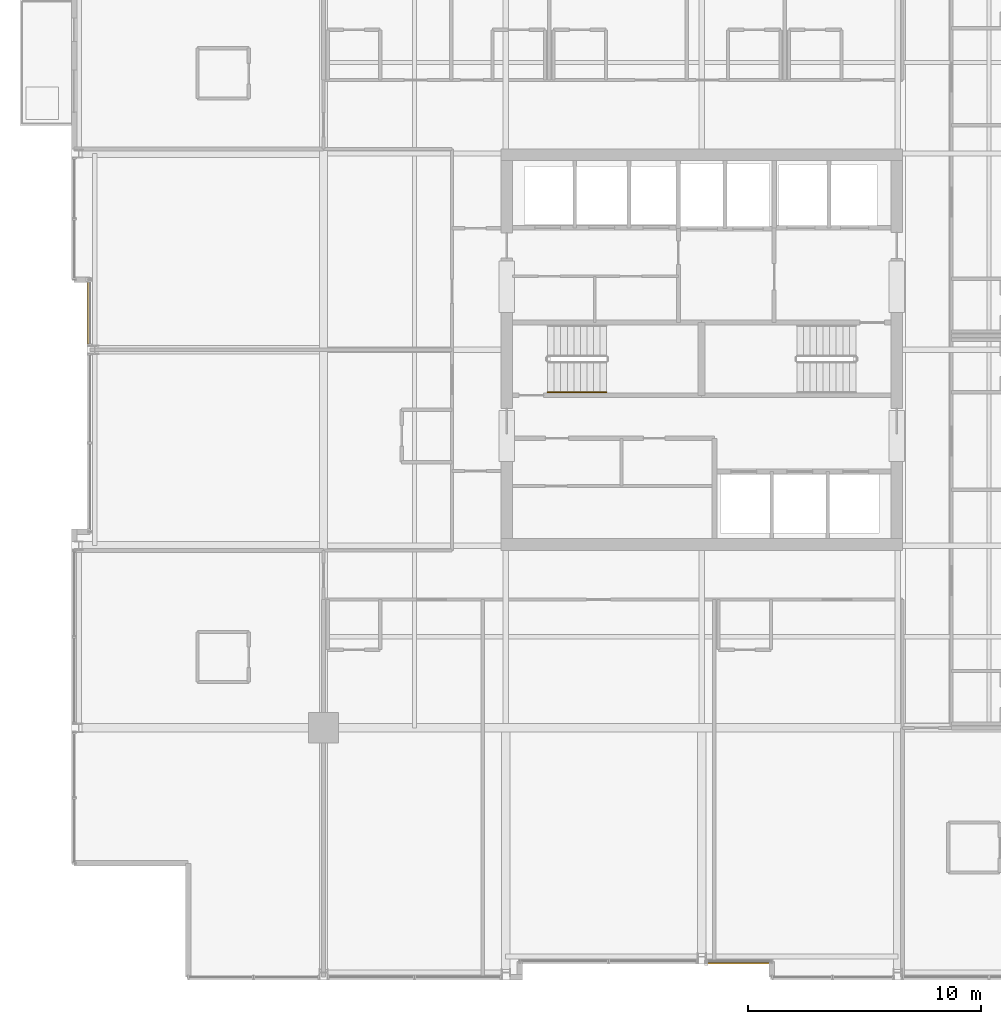
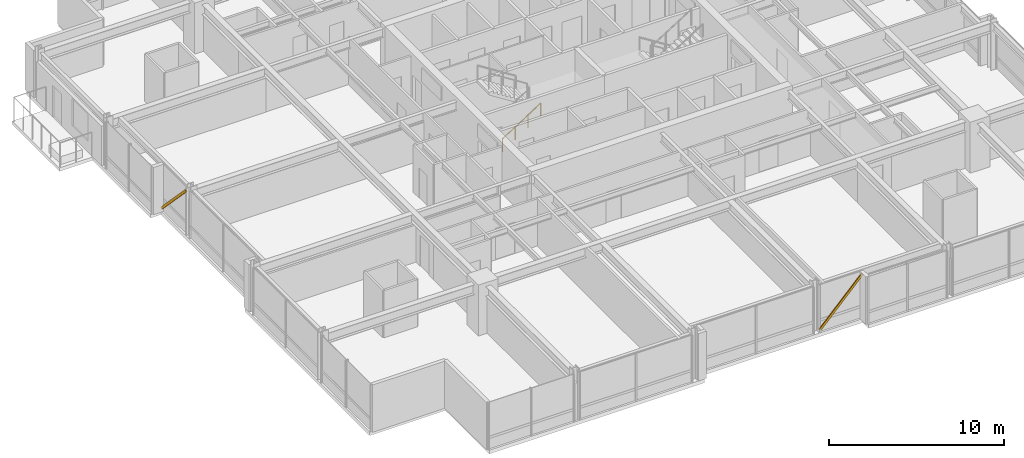
# One storey, part 30 of 32: 2 shading devices, 1 railing.
"""IFC4 building model written with IfcOpenShell, lengths in metres."""

from ifc_helpers import new_model, si_unit, direction, frame, origin, origin_2d, place, context, subcontext, project, spatial, hollow_rectangle, circle, extrude, material, material_profile, profile_set, type_object, element, save


model = new_model("IFC4")

# Units and contexts
model_context = context("Model", 3, precision=1e-05, world=origin(), true_north=direction((0.0, 1.0)))
body_context = subcontext(model_context, "Body", "Model", "MODEL_VIEW")
ifc_project = project(units=[si_unit("LENGTHUNIT", "METRE"), si_unit("AREAUNIT", "SQUARE_METRE"), si_unit("VOLUMEUNIT", "CUBIC_METRE"), si_unit("PLANEANGLEUNIT", "RADIAN"), si_unit("MASSUNIT", "GRAM", prefix="KILO")], contexts=[model_context])

# Site, building, storey
site_placement = place(None, origin())
site = spatial("IfcSite", under=ifc_project, at=site_placement, CompositionType="ELEMENT")
building_placement = place(site_placement, origin())
building = spatial("IfcBuilding", under=site, at=building_placement, Name="Drelvath Grand Hotel", CompositionType="ELEMENT")
storey_placement = place(building_placement, frame((0.0, 0.0, 182.35009765625)))
storey = spatial("IfcBuildingStorey", under=building, at=storey_placement, Name="L47", CompositionType="ELEMENT", Elevation=182.35009765625)

# Railing
ifc_material_1 = material(Name="Painted Steel S275", Category="steel")
railing_type = type_object("IfcRailingType", Name="Core Stair Wall Handrail 900", PredefinedType="HANDRAIL", material=ifc_material_1)
railing_placement = place(storey_placement, frame((-6.60009765625, 25.169921875, 0.177490234375)))
element("IfcRailing", 1, at=railing_placement, inside=storey, type_object=railing_type, Name="L47 ST-1 stair handrail 1", PredefinedType="HANDRAIL", context=body_context, shape_type="SweptSolid", body=[
    extrude(circle(Radius=0.02392578125, at=origin_2d()), frame((0.0, 0.0, 0.8759765625), z_axis=(0.84460694969, 0.0, 0.535386869969), x_axis=(0.0, 1.0, 0.0)), (0.0, 0.0, 1.0), 2.983642578125),
    extrude(circle(Radius=0.02099609375, at=origin_2d()), origin(), (0.0, 0.0, 1.0), 0.851806640625),
    extrude(circle(Radius=0.02099609375, at=origin_2d()), frame((0.840087890625, 0.0, 0.532470703125)), (0.0, 0.0, 1.0), 0.851806640625),
    extrude(circle(Radius=0.02099609375, at=origin_2d()), frame((1.679931640625, 0.0, 1.06494140625)), (0.0, 0.0, 1.0), 0.851806640625),
    extrude(circle(Radius=0.02099609375, at=origin_2d()), frame((2.52001953125, 0.0, 1.597412109375)), (0.0, 0.0, 1.0), 0.851806640625),
])

# Shading devices
ifc_material_2 = material(Name="Brushed Pale-Silver Anodised Aluminium", Category="aluminium")
ifc_material_profile = material_profile(ifc_material_2, hollow_rectangle(XDim=0.06494140625, YDim=0.159912109375, WallThickness=0.00390625, at=origin_2d()), Name="HSS160X65X4")
ifc_profile_set = profile_set([ifc_material_profile], Name="Brushed Pale-Silver Anodised Aluminium")
shading_device_type = type_object("IfcShadingDeviceType", Name="Diagonal Solar Fin Pale-Silver Anodised HSS160X65X4", PredefinedType="USERDEFINED", material=ifc_profile_set)
for number, where, z_axis, x_axis, name in (
    (2, (-26.280029296875, 30.0, 0.179931640625), (0.0, -0.691969381272, 0.721926849052), (1.0, 0.0, 0.0), "L47 Diagonal Anodised Fin CW04-L47-WM2"),
    (3, (0.191650390625, 0.719970703125, 0.179931640625), (0.691969381272, 0.0, 0.721926849052), (0.0, 1.0, 0.0), "L47 Diagonal Anodised Fin CW04-L47-SM2"),
):
    element("IfcShadingDevice", number, at=place(storey_placement, frame(where, z_axis=z_axis, x_axis=x_axis)), inside=storey, type_object=shading_device_type, Name=name, ObjectType="FIN", PredefinedType="USERDEFINED", context=body_context, shape_type="SweptSolid", body=[
        extrude(hollow_rectangle(XDim=0.06494140625, YDim=0.159912109375, WallThickness=0.00390625, at=origin_2d()), origin(), (0.0, 0.0, 1.0), 4.05859375),
    ])

save(model, "model.ifc")
